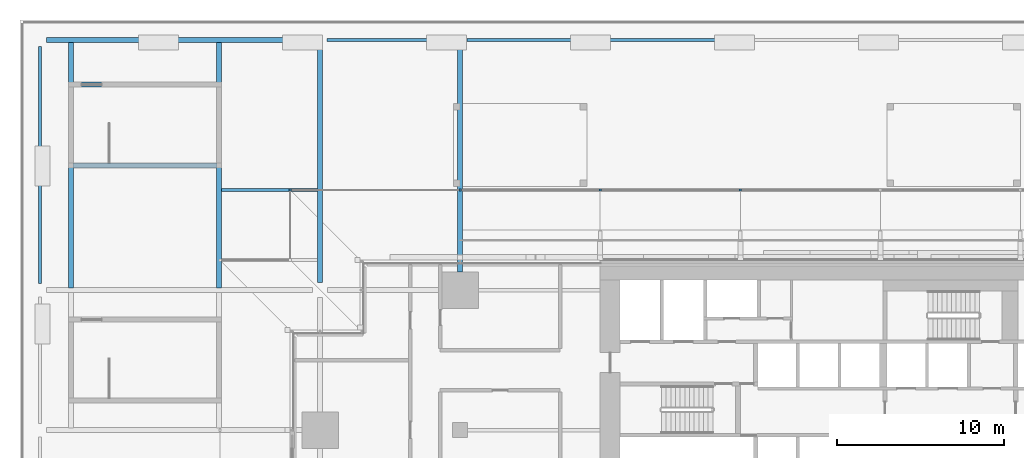
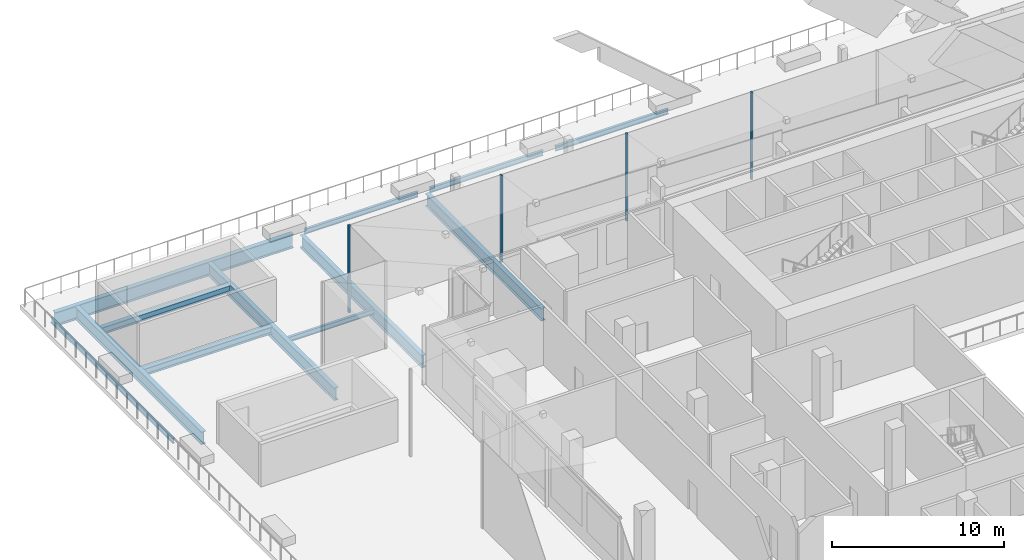
# One storey, part 14 of 60: 12 beams, 4 members.
"""IFC4 building model written with IfcOpenShell, lengths in metres."""

from ifc_helpers import new_model, si_unit, direction, frame, origin, origin_2d, place, context, subcontext, project, spatial, rectangle, i_section, extrude, material, material_profile, profile_set, type_object, element, save


model = new_model("IFC4")

# Units and contexts
model_context = context("Model", 3, precision=1e-05, world=origin(), true_north=direction((0.0, 1.0)))
body_context = subcontext(model_context, "Body", "Model", "MODEL_VIEW")
ifc_project = project(units=[si_unit("LENGTHUNIT", "METRE"), si_unit("AREAUNIT", "SQUARE_METRE"), si_unit("VOLUMEUNIT", "CUBIC_METRE"), si_unit("PLANEANGLEUNIT", "RADIAN"), si_unit("MASSUNIT", "GRAM", prefix="KILO")], contexts=[model_context])

# Site, building, storey
site_placement = place(None, origin())
site = spatial("IfcSite", under=ifc_project, at=site_placement, CompositionType="ELEMENT")
building_placement = place(site_placement, origin())
building = spatial("IfcBuilding", under=site, at=building_placement, Name="Saffron Gate Tower", CompositionType="ELEMENT")
storey_placement = place(building_placement, frame((0.0, 0.0, 19.199951171875)))
storey = spatial("IfcBuildingStorey", under=building, at=storey_placement, Name="L03", CompositionType="ELEMENT", Elevation=19.199951171875)

# Beams
ifc_material = material(Name="Structural steel S355", Category="steel")
ifc_material_profile_1 = material_profile(ifc_material, i_section(OverallWidth=0.169921875, OverallDepth=0.360107421875, WebThickness=0.008056640625, FlangeThickness=0.0126953125, FilletRadius=0.01806640625, at=origin_2d()))
ifc_profile_set_1 = profile_set([ifc_material_profile_1], Name="Structural steel S355")
beam_type_1 = type_object("IfcBeamType", Name="B1 IPE 360", PredefinedType="BEAM", material=ifc_profile_set_1)
beam_1_placement = place(storey_placement, frame((50.199951171875, 88.800048828125, -0.47998046875), z_axis=(1.0, 0.0, 0.0), x_axis=(0.0, 1.0, 0.0)))
element("IfcBeam", 1, at=beam_1_placement, inside=storey, type_object=beam_type_1, Name="B1 PODIUM EDGE BEAM", PredefinedType="BEAM", context=body_context, shape_type="SweptSolid", body=[
    extrude(i_section(OverallWidth=0.169921875, OverallDepth=0.360107421875, WebThickness=0.008056640625, FlangeThickness=0.0126953125, FilletRadius=0.01806640625, at=origin_2d()), origin(), (0.0, 0.0, 1.0), 7.60009765625),
])
beam_2_placement = place(storey_placement, frame((58.60009765625, 88.800048828125, -0.47998046875), z_axis=(1.0, 0.0, 0.0), x_axis=(0.0, 1.0, 0.0)))
element("IfcBeam", 2, at=beam_2_placement, inside=storey, type_object=beam_type_1, Name="B1 PODIUM EDGE BEAM", PredefinedType="BEAM", context=body_context, shape_type="SweptSolid", body=[
    extrude(i_section(OverallWidth=0.169921875, OverallDepth=0.360107421875, WebThickness=0.008056640625, FlangeThickness=0.0126953125, FilletRadius=0.01806640625, at=origin_2d()), origin(), (0.0, 0.0, 1.0), 7.599853515625),
])
beam_3_placement = place(storey_placement, frame((67.0, 88.800048828125, -0.47998046875), z_axis=(1.0, 0.0, 0.0), x_axis=(0.0, 1.0, 0.0)))
element("IfcBeam", 3, at=beam_3_placement, inside=storey, type_object=beam_type_1, Name="B1 PODIUM EDGE BEAM", PredefinedType="BEAM", context=body_context, shape_type="SweptSolid", body=[
    extrude(i_section(OverallWidth=0.169921875, OverallDepth=0.360107421875, WebThickness=0.008056640625, FlangeThickness=0.0126953125, FilletRadius=0.01806640625, at=origin_2d()), origin(), (0.0, 0.0, 1.0), 7.60009765625),
])
beam_4_placement = place(storey_placement, frame((33.0, 74.199951171875, -0.47998046875), z_axis=(0.0, 1.0, 0.0), x_axis=(-1.0, 0.0, 0.0)))
element("IfcBeam", 4, at=beam_4_placement, inside=storey, type_object=beam_type_1, Name="B1 PODIUM EDGE BEAM", PredefinedType="BEAM", context=body_context, shape_type="SweptSolid", body=[
    extrude(i_section(OverallWidth=0.169921875, OverallDepth=0.360107421875, WebThickness=0.008056640625, FlangeThickness=0.0126953125, FilletRadius=0.01806640625, at=origin_2d()), origin(), (0.0, 0.0, 1.0), 14.199951171875),
])
ifc_material_profile_2 = material_profile(ifc_material, i_section(OverallWidth=0.300048828125, OverallDepth=0.889892578125, WebThickness=0.01611328125, FlangeThickness=0.030029296875, FilletRadius=0.030029296875, at=origin_2d()))
ifc_profile_set_2 = profile_set([ifc_material_profile_2], Name="Structural steel S355")
beam_type_2 = type_object("IfcBeamType", Name="B19 HEA 900", PredefinedType="BEAM", material=ifc_profile_set_2)
beam_5_placement = place(storey_placement, frame((49.800048828125, 88.39990234375, -0.744873046875), z_axis=(0.0, -1.0, 0.0), x_axis=(1.0, 0.0, 0.0)))
element("IfcBeam", 5, at=beam_5_placement, inside=storey, type_object=beam_type_2, Name="B19 PODIUM RING GIRDER", PredefinedType="BEAM", context=body_context, shape_type="SweptSolid", body=[
    extrude(i_section(OverallWidth=0.300048828125, OverallDepth=0.889892578125, WebThickness=0.01611328125, FlangeThickness=0.030029296875, FilletRadius=0.030029296875, at=origin_2d()), origin(), (0.0, 0.0, 1.0), 14.14990234375),
])
beam_6_placement = place(storey_placement, frame((58.199951171875, 88.39990234375, -0.744873046875), z_axis=(0.0, -1.0, 0.0), x_axis=(1.0, 0.0, 0.0)))
element("IfcBeam", 6, at=beam_6_placement, inside=storey, type_object=beam_type_2, Name="B19 PODIUM RING GIRDER", PredefinedType="BEAM", context=body_context, shape_type="SweptSolid", body=[
    extrude(i_section(OverallWidth=0.300048828125, OverallDepth=0.889892578125, WebThickness=0.01611328125, FlangeThickness=0.030029296875, FilletRadius=0.030029296875, at=origin_2d()), origin(), (0.0, 0.0, 1.0), 13.5),
])
ifc_material_profile_3 = material_profile(ifc_material, i_section(OverallWidth=0.300048828125, OverallDepth=0.89990234375, WebThickness=0.0185546875, FlangeThickness=0.034912109375, FilletRadius=0.030029296875, at=origin_2d()))
ifc_profile_set_3 = profile_set([ifc_material_profile_3], Name="Structural steel S355")
beam_type_3 = type_object("IfcBeamType", Name="B20 HEB 900", PredefinedType="BEAM", material=ifc_profile_set_3)
for number, where, z_axis, x_axis, name in (
    (7, (34.85009765625, 73.93994140625, -0.75), (0.0, 1.0, 0.0), (-1.0, 0.0, 0.0), "B20 STAIR ENCLOSURE HEADER BEAM"),
    (8, (43.75, 73.93994140625, -0.75), (0.0, 1.0, 0.0), (-1.0, 0.0, 0.0), "B20 STAIR ENCLOSURE HEADER BEAM"),
):
    element("IfcBeam", number, at=place(storey_placement, frame(where, z_axis=z_axis, x_axis=x_axis)), inside=storey, type_object=beam_type_3, Name=name, PredefinedType="BEAM", context=body_context, shape_type="SweptSolid", body=[
        extrude(i_section(OverallWidth=0.300048828125, OverallDepth=0.89990234375, WebThickness=0.0185546875, FlangeThickness=0.034912109375, FilletRadius=0.030029296875, at=origin_2d()), origin(), (0.0, 0.0, 1.0), 14.719970703125),
    ])
ifc_material_profile_4 = material_profile(ifc_material, i_section(OverallWidth=0.300048828125, OverallDepth=0.989990234375, WebThickness=0.0166015625, FlangeThickness=0.031005859375, FilletRadius=0.030029296875, at=origin_2d()))
ifc_profile_set_4 = profile_set([ifc_material_profile_4], Name="Structural steel S355")
beam_type_4 = type_object("IfcBeamType", Name="B21 HEA 1000", PredefinedType="BEAM", material=ifc_profile_set_4)
beam_7_placement = place(storey_placement, frame((33.39990234375, 88.800048828125, -0.794921875), z_axis=(1.0, 0.0, 0.0), x_axis=(0.0, 1.0, 0.0)))
element("IfcBeam", 9, at=beam_7_placement, inside=storey, type_object=beam_type_4, Name="B21 PODIUM EDGE BEAM", PredefinedType="BEAM", context=body_context, shape_type="SweptSolid", body=[
    extrude(i_section(OverallWidth=0.300048828125, OverallDepth=0.989990234375, WebThickness=0.0166015625, FlangeThickness=0.031005859375, FilletRadius=0.030029296875, at=origin_2d()), origin(), (0.0, 0.0, 1.0), 16.0),
])
ifc_material_profile_5 = material_profile(ifc_material, i_section(OverallWidth=0.300048828125, OverallDepth=0.5, WebThickness=0.014404296875, FlangeThickness=0.028076171875, FilletRadius=0.027099609375, at=origin_2d()))
ifc_profile_set_5 = profile_set([ifc_material_profile_5], Name="Structural steel S355")
beam_type_5 = type_object("IfcBeamType", Name="B9 HEB 500", PredefinedType="BEAM", material=ifc_profile_set_5)
for number, where, z_axis, x_axis, name in (
    (10, (34.989990234375, 81.27490234375, -0.550048828125), (1.0, 0.0, 0.0), (0.0, 1.0, 0.0), "B9 STAIR ENCLOSURE TRIMMER BEAM"),
    (11, (34.989990234375, 86.125, -0.550048828125), (1.0, 0.0, 0.0), (0.0, 1.0, 0.0), "B9 STAIR ENCLOSURE TRIMMER BEAM"),
):
    element("IfcBeam", number, at=place(storey_placement, frame(where, z_axis=z_axis, x_axis=x_axis)), inside=storey, type_object=beam_type_5, Name=name, PredefinedType="BEAM", context=body_context, shape_type="SweptSolid", body=[
        extrude(i_section(OverallWidth=0.300048828125, OverallDepth=0.5, WebThickness=0.014404296875, FlangeThickness=0.028076171875, FilletRadius=0.027099609375, at=origin_2d()), origin(), (0.0, 0.0, 1.0), 8.6201171875),
    ])

# Members
ifc_material_profile_6 = material_profile(ifc_material, rectangle(XDim=0.139892578125, YDim=0.139892578125, at=origin_2d()))
ifc_profile_set_6 = profile_set([ifc_material_profile_6], Name="Structural steel S355")
member_type = type_object("IfcMemberType", Name="HL1 hall post", PredefinedType="POST", material=ifc_profile_set_6)
for number, where, z_axis, x_axis, name in (
    (12, (48.0, 79.800048828125, 0.0), (0.0, 0.0, 1.0), (1.0, 0.0, 0.0), "HALL POST"),
    (13, (58.199951171875, 79.800048828125, 0.0), (0.0, 0.0, 1.0), (1.0, 0.0, 0.0), "HALL POST"),
    (14, (66.60009765625, 79.800048828125, 0.0), (0.0, 0.0, 1.0), (1.0, 0.0, 0.0), "HALL POST"),
    (15, (75.0, 79.800048828125, 0.0), (0.0, 0.0, 1.0), (1.0, 0.0, 0.0), "HALL POST"),
):
    element("IfcMember", number, at=place(storey_placement, frame(where, z_axis=z_axis, x_axis=x_axis)), inside=storey, type_object=member_type, Name=name, PredefinedType="POST", context=body_context, shape_type="SweptSolid", body=[
        extrude(rectangle(XDim=0.139892578125, YDim=0.139892578125, at=origin_2d()), origin(), (0.0, 0.0, 1.0), 6.18994140625),
    ])

# Beam
ifc_material_profile_7 = material_profile(ifc_material, i_section(OverallWidth=0.169921875, OverallDepth=0.360107421875, WebThickness=0.008056640625, FlangeThickness=0.0126953125, FilletRadius=0.01806640625, at=origin_2d()))
ifc_profile_set_7 = profile_set([ifc_material_profile_7], Name="Structural steel S355")
beam_type_6 = type_object("IfcBeamType", Name="HL5 hall kerb beam", PredefinedType="BEAM", material=ifc_profile_set_7)
beam_8_placement = place(storey_placement, frame((43.89990234375, 79.800048828125, -0.47998046875), z_axis=(1.0, 0.0, 0.0), x_axis=(0.0, 1.0, 0.0)))
element("IfcBeam", 16, at=beam_8_placement, inside=storey, type_object=beam_type_6, Name="HALL KERB BEAM", PredefinedType="BEAM", context=body_context, shape_type="SweptSolid", body=[
    extrude(i_section(OverallWidth=0.169921875, OverallDepth=0.360107421875, WebThickness=0.008056640625, FlangeThickness=0.0126953125, FilletRadius=0.01806640625, at=origin_2d()), origin(), (0.0, 0.0, 1.0), 5.75),
])

save(model, "model.ifc")
